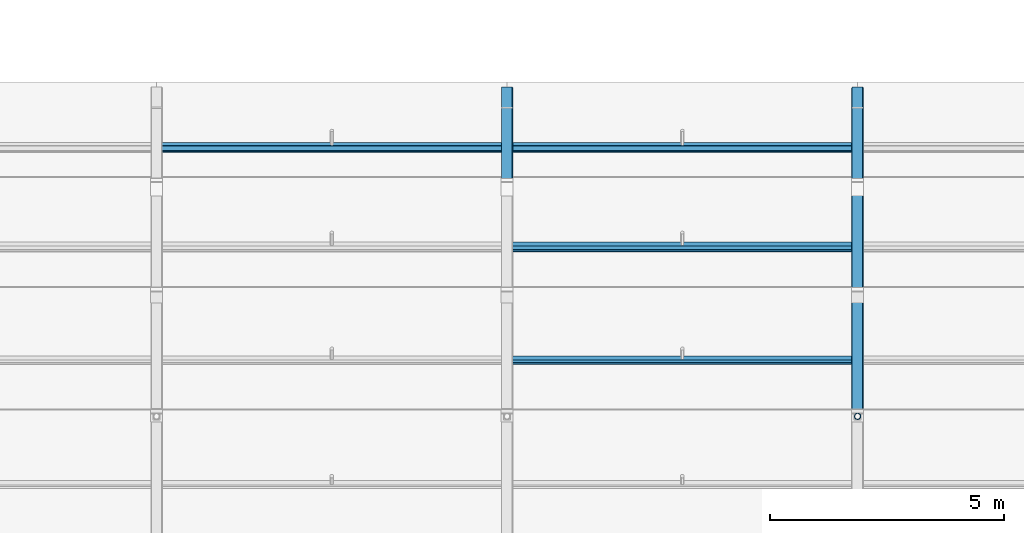
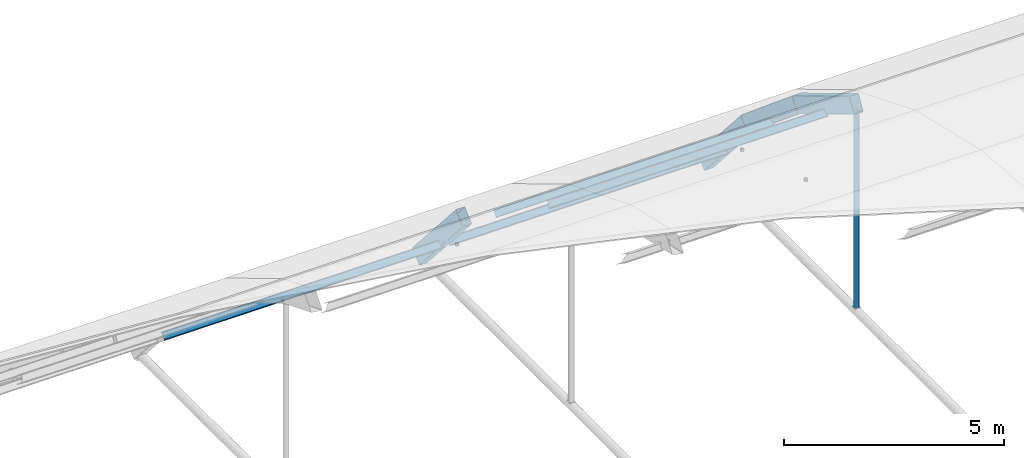
# One storey, part 27 of 77: 5 members, 4 beams.
"""IFC4 building model written with IfcOpenShell, lengths in metres."""

from ifc_helpers import new_model, si_unit, direction, frame, origin, origin_2d, place, context, subcontext, project, spatial, hollow_rectangle, hollow_circle, i_section, extrude, material, material_profile, profile_set, type_object, element, save


model = new_model("IFC4")

# Units and contexts
model_context = context("Model", 3, precision=1e-05, world=origin(), true_north=direction((0.0, 1.0)))
body_context = subcontext(model_context, "Body", "Model", "MODEL_VIEW")
ifc_project = project(units=[si_unit("LENGTHUNIT", "METRE"), si_unit("AREAUNIT", "SQUARE_METRE"), si_unit("VOLUMEUNIT", "CUBIC_METRE"), si_unit("PLANEANGLEUNIT", "RADIAN"), si_unit("MASSUNIT", "GRAM", prefix="KILO")], contexts=[model_context])

# Site, building, storey
site_placement = place(None, origin())
site = spatial("IfcSite", under=ifc_project, at=site_placement, CompositionType="ELEMENT")
building_placement = place(site_placement, origin())
building = spatial("IfcBuilding", under=site, at=building_placement, Name="Yukiwa Park Conservatory and Herbarium", CompositionType="ELEMENT")
storey_placement = place(building_placement, frame((0.0, 0.0, 13.199951171875)))
storey = spatial("IfcBuildingStorey", under=building, at=storey_placement, Name="L03", CompositionType="ELEMENT", Elevation=13.199951171875)

# Beams
ifc_material_1 = material(Name="Steel Q355D", Category="steel")
ifc_material_profile_1 = material_profile(ifc_material_1, hollow_rectangle(XDim=0.25, YDim=0.449951171875, WallThickness=0.013916015625, InnerFilletRadius=0.013916015625, OuterFilletRadius=0.028076171875, at=origin_2d()), Name="RHS 450x250x14")
ifc_profile_set_1 = profile_set([ifc_material_profile_1], Name="Steel Q355D")
beam_type = type_object("IfcBeamType", Name="BM-VLT-ARCH450", PredefinedType="BEAM", material=ifc_profile_set_1)
for number, where, z_axis, x_axis, name in (
    (1, (37.5, 29.213134765625, -1.93798828125), (0.0, 0.659932949032, -0.75132449899), (-1.0, 0.0, 0.0), "Conservatory barrel vault arch rib 6 chord 12"),
    (2, (45.0, 24.320556640625, 1.541259765625), (0.0, 0.857249569488, -0.514901131881), (-1.0, 0.0, 0.0), "Conservatory barrel vault arch rib 7 chord 10"),
    (3, (45.0, 26.901611328125, -0.009033203125), (0.0, 0.767782402885, -0.640710684959), (-1.0, 0.0, 0.0), "Conservatory barrel vault arch rib 7 chord 11"),
    (4, (45.0, 29.213134765625, -1.93798828125), (0.0, 0.659932949032, -0.75132449899), (-1.0, 0.0, 0.0), "Conservatory barrel vault arch rib 7 chord 12"),
):
    element("IfcBeam", number, at=place(storey_placement, frame(where, z_axis=z_axis, x_axis=x_axis)), inside=storey, type_object=beam_type, Name=name, PredefinedType="BEAM", context=body_context, shape_type="SweptSolid", body=[
        extrude(hollow_rectangle(XDim=0.25, YDim=0.449951171875, WallThickness=0.013916015625, InnerFilletRadius=0.013916015625, OuterFilletRadius=0.028076171875, at=origin_2d()), origin(), (0.0, 0.0, 1.0), 3.0107421875),
    ])

# Members
ifc_material_2 = material(Name="Steel Q355D", Category="steel")
ifc_material_profile_2 = material_profile(ifc_material_2, i_section(OverallWidth=0.10009765625, OverallDepth=0.199951171875, WebThickness=0.005615234375, FlangeThickness=0.008056640625, FilletRadius=0.010986328125, at=origin_2d()), Name="HN 200x100x5.5x8")
ifc_profile_set_2 = profile_set([ifc_material_profile_2], Name="Steel Q355D")
member_type_1 = type_object("IfcMemberType", Name="MB-VLT-PURL200", PredefinedType="PURLIN", material=ifc_profile_set_2)
for number, where, z_axis, x_axis, name in (
    (5, (30.0849609375, 30.07421875, -3.18505859375), (1.0, 0.0, 0.0), (0.0, 0.659967575996, -0.751294082656), "Conservatory vault longitudinal purlin 5.12"),
    (6, (37.5849609375, 25.5205078125, 0.615234375), (1.0, 0.0, 0.0), (0.0, 0.857233812968, -0.514927363717), "Conservatory vault longitudinal purlin 6.10"),
    (7, (37.5849609375, 27.944580078125, -1.108642578125), (1.0, 0.0, 0.0), (0.0, 0.767751470285, -0.640747750582), "Conservatory vault longitudinal purlin 6.11"),
    (8, (37.5849609375, 30.07421875, -3.18505859375), (1.0, 0.0, 0.0), (0.0, 0.659967575996, -0.751294082656), "Conservatory vault longitudinal purlin 6.12"),
):
    element("IfcMember", number, at=place(storey_placement, frame(where, z_axis=z_axis, x_axis=x_axis)), inside=storey, type_object=member_type_1, Name=name, PredefinedType="PURLIN", context=body_context, shape_type="SweptSolid", body=[
        extrude(i_section(OverallWidth=0.10009765625, OverallDepth=0.199951171875, WebThickness=0.005615234375, FlangeThickness=0.008056640625, FilletRadius=0.010986328125, at=origin_2d()), origin(), (0.0, 0.0, 1.0), 7.330078125),
    ])
ifc_material_3 = material(Name="Steel Q355D", Category="steel")
ifc_material_profile_3 = material_profile(ifc_material_3, hollow_circle(Radius=0.06982421875, WallThickness=0.008056640625, at=origin_2d()), Name="CHS 139.7x8")
ifc_profile_set_3 = profile_set([ifc_material_profile_3], Name="Steel Q355D")
member_type_2 = type_object("IfcMemberType", Name="MB-VLT-STRUT140", PredefinedType="STRUT", material=ifc_profile_set_3)
member_placement = place(storey_placement, frame((45.0, 24.320556640625, -4.095947265625), z_axis=(0.0, 0.0, 1.0), x_axis=(1.0, 0.0, 0.0)))
element("IfcMember", 9, at=member_placement, inside=storey, type_object=member_type_2, Name="Conservatory vault bowstring hanger 7.9", PredefinedType="STRUT", context=body_context, shape_type="SweptSolid", body=[
    extrude(hollow_circle(Radius=0.06982421875, WallThickness=0.008056640625, at=origin_2d()), origin(), (0.0, 0.0, 1.0), 5.42236328125),
])

save(model, "model.ifc")
